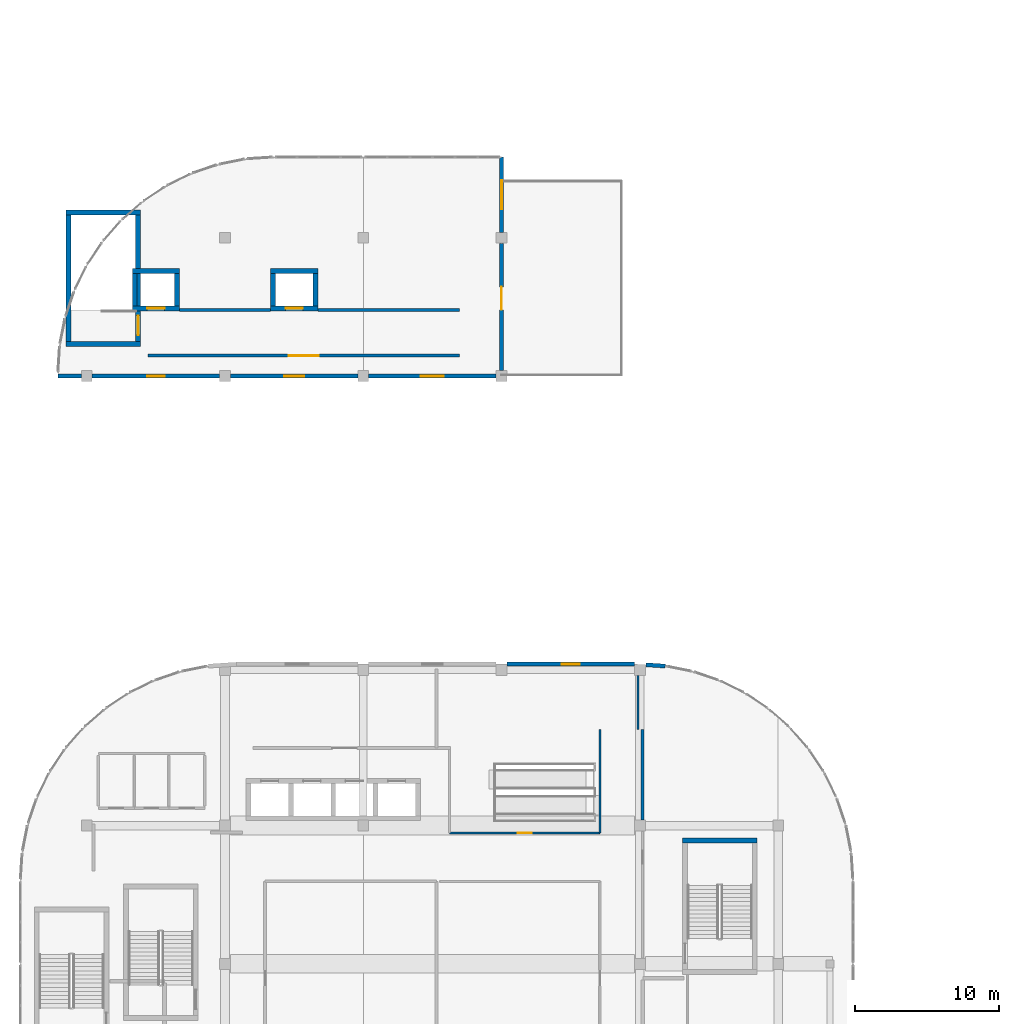
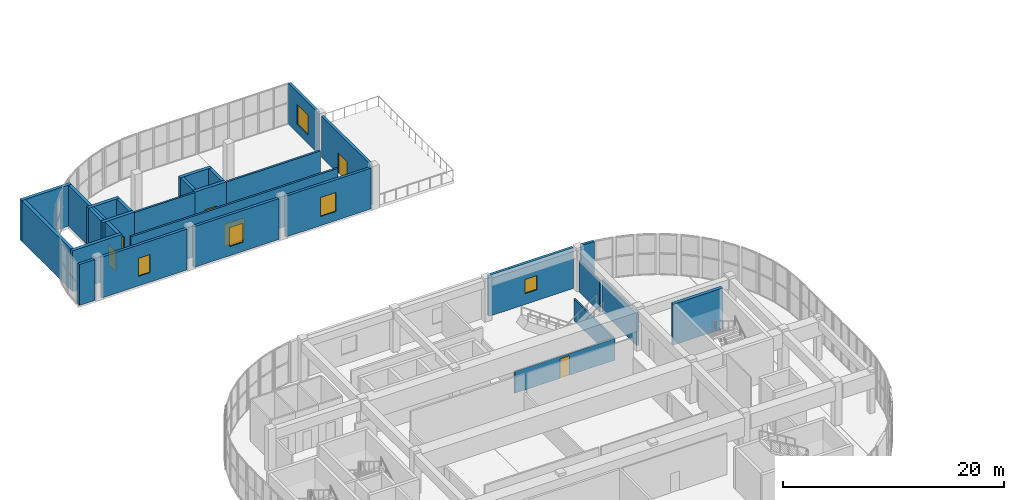
# One storey, part 23 of 28: 28 walls, 6 doors, 5 windows, 11 openings.
"""IFC4 building model written with IfcOpenShell, lengths in metres."""

from ifc_helpers import new_model, si_unit, direction, frame, frame_2d, origin, place, context, subcontext, project, spatial, rectangle, extrude, material, layer, layer_set, type_object, element, fill, save


model = new_model("IFC4")

# Units and contexts
model_context = context("Model", 3, precision=1e-05, world=origin(), true_north=direction((0.0, 1.0)))
body_context = subcontext(model_context, "Body", "Model", "MODEL_VIEW")
ifc_project = project(units=[si_unit("LENGTHUNIT", "METRE"), si_unit("AREAUNIT", "SQUARE_METRE"), si_unit("VOLUMEUNIT", "CUBIC_METRE"), si_unit("PLANEANGLEUNIT", "RADIAN"), si_unit("MASSUNIT", "GRAM", prefix="KILO")], contexts=[model_context])

# Site, building, storey
site_placement = place(None, origin())
site = spatial("IfcSite", under=ifc_project, at=site_placement, CompositionType="ELEMENT")
building_placement = place(site_placement, origin())
building = spatial("IfcBuilding", under=site, at=building_placement, Name="Cendralis Terraced Arcade", CompositionType="ELEMENT")
storey_placement = place(building_placement, frame((0.0, 0.0, 24.60009765625)))
storey = spatial("IfcBuildingStorey", under=building, at=storey_placement, Name="L05", CompositionType="ELEMENT", Elevation=24.60009765625)

# Walls
ifc_material_1 = material(Name="Gypsum plasterboard acoustic partition", Category="concrete")
ifc_layer_1 = layer(ifc_material_1, 0.195068359375, Name="WL-ACOU-195")
ifc_layer_set_1 = layer_set([ifc_layer_1], Name="Gypsum plasterboard acoustic partition")
wall_type_1 = type_object("IfcWallType", Name="WL-ACOU-195", PredefinedType="PARTITIONING", material=ifc_layer_set_1)
wall_1_placement = place(storey_placement, frame((22.360107421875, 74.179931640625, 0.0), z_axis=(0.0, 0.0, 1.0), x_axis=(-1.0, 0.0, 0.0)))
element("IfcWall", 1, at=wall_1_placement, inside=storey, type_object=wall_type_1, Name="Interior Partition Wall IW-L05-0624", PredefinedType="PARTITIONING", context=body_context, shape_type="SweptSolid", body=[
    extrude(rectangle(XDim=6.320068359375, YDim=0.195068359375, at=frame_2d((3.16015625, 0.0))), origin(), (0.0, 0.0, 1.0), 4.510009765625),
])
ifc_layer_2 = layer(ifc_material_1, 0.199951171875, Name="WL-ACOU-200")
ifc_layer_set_2 = layer_set([ifc_layer_2], Name="Gypsum plasterboard acoustic partition")
wall_type_2 = type_object("IfcWallType", Name="WL-ACOU-200", PredefinedType="PARTITIONING", material=ifc_layer_set_2)
wall_2_placement = place(storey_placement, frame((35.4599609375, 74.179931640625, 0.0), z_axis=(0.0, 0.0, 1.0), x_axis=(-1.0, 0.0, 0.0)))
element("IfcWall", 2, at=wall_2_placement, inside=storey, type_object=wall_type_2, Name="Interior Partition Wall IW-L05-0623", PredefinedType="PARTITIONING", context=body_context, shape_type="SweptSolid", body=[
    extrude(rectangle(XDim=9.820068359375, YDim=0.199951171875, at=frame_2d((4.91015625, 0.0))), origin(), (0.0, 0.0, 1.0), 4.510009765625),
])

# Wall, opening, door
ifc_layer_3 = layer(ifc_material_1, 0.205078125, Name="WL-ACOU-205")
ifc_layer_set_3 = layer_set([ifc_layer_3], Name="Gypsum plasterboard acoustic partition")
wall_type_3 = type_object("IfcWallType", Name="WL-ACOU-205", PredefinedType="PARTITIONING", material=ifc_layer_set_3)
wall_3_placement = place(storey_placement, frame((13.861083984375, 71.02001953125, 0.0), z_axis=(0.0, 0.0, 1.0), x_axis=(1.0, 0.0, 0.0)))
wall_3 = element("IfcWall", 3, at=wall_3_placement, inside=storey, type_object=wall_type_3, Name="Interior Partition Wall IW-L05-0622", PredefinedType="PARTITIONING", context=body_context, shape_type="SweptSolid", body=[
    extrude(rectangle(XDim=21.598876953125, YDim=0.205078125, at=frame_2d((10.79931640625, 0.0))), origin(), (0.0, 0.0, 1.0), 4.510009765625),
])
opening_1_placement = place(wall_3_placement, frame((9.74951171875, 0.0, 0.0)))
opening_1 = element("IfcOpeningElement", 4, at=opening_1_placement, cuts=wall_3, Name="Opening D-L05-169", PredefinedType="OPENING", context=body_context, shape_type="SweptSolid", body=[
    extrude(rectangle(XDim=2.10009765625, YDim=2.419921875, at=frame_2d((1.050048828125, 1.2099609375))), frame((0.0, 0.114501953125, 0.0), z_axis=(0.0, -1.0, 0.0), x_axis=(1.0, 0.0, 0.0)), (0.0, 0.0, 1.0), 0.22900390625),
])
ifc_material_2 = material(Name="Solid core Andean oak veneer door leaf", Category="aluminium")
door_type_1 = type_object("IfcDoorType", Name="ID-DEP-2100x2420", OperationType="DOUBLE_DOOR_SINGLE_SWING", PredefinedType="DOOR", material=ifc_material_2)
door_1_placement = place(opening_1_placement, origin())
door_1 = element("IfcDoor", 5, at=door_1_placement, inside=storey, type_object=door_type_1, Name="Activewear and Alpine Equipment Showroom Door D-L05-169", OperationType="DOUBLE_DOOR_SINGLE_SWING", OverallHeight=2.419921875, OverallWidth=2.10009765625, PredefinedType="DOOR", context=body_context, shape_type="SweptSolid", body=[
    extrude(rectangle(XDim=2.10009765625, YDim=2.419921875, at=frame_2d((1.050048828125, 1.2099609375))), frame((0.0, 0.02490234375, 0.0), z_axis=(0.0, -1.0, 0.0), x_axis=(1.0, 0.0, 0.0)), (0.0, 0.0, 1.0), 0.050048828125),
])
fill(opening_1, door_1)

# Walls
ifc_material_3 = material(Name="Autoclaved aerated concrete blockwork", Category="masonry")
ifc_layer_4 = layer(ifc_material_3, 0.22802734375, Name="WL-ACOU-228")
ifc_layer_set_4 = layer_set([ifc_layer_4], Name="Autoclaved aerated concrete blockwork")
wall_type_4 = type_object("IfcWallType", Name="WL-ACOU-228", PredefinedType="PARTITIONING", material=ifc_layer_set_4)
wall_4_placement = place(storey_placement, frame((48.179931640625, 38.794921875, 0.0), z_axis=(0.0, 0.0, 1.0), x_axis=(0.0, 1.0, 0.0)))
element("IfcWall", 6, at=wall_4_placement, inside=storey, type_object=wall_type_4, Name="Interior Partition Wall IW-L05-0620", PredefinedType="PARTITIONING", context=body_context, shape_type="SweptSolid", body=[
    extrude(rectangle(XDim=6.26513671875, YDim=0.22802734375, at=frame_2d((3.132568359375, 0.0))), origin(), (0.0, 0.0, 1.0), 3.449951171875),
])
ifc_material_4 = material(Name="Concrete f'c 42 MPa", Category="concrete")
ifc_layer_5 = layer(ifc_material_4, 0.340087890625, Name="WL-CORE-340")
ifc_layer_set_5 = layer_set([ifc_layer_5], Name="Concrete f'c 42 MPa")
wall_type_5 = type_object("IfcWallType", Name="WL-CORE-340", PredefinedType="SHEAR", material=ifc_layer_set_5)
wall_5_placement = place(storey_placement, frame((50.9599609375, 37.3701171875, 0.0), z_axis=(0.0, 0.0, 1.0), x_axis=(1.0, 0.0, 0.0)))
element("IfcWall", 7, at=wall_5_placement, inside=storey, type_object=wall_type_5, Name="Stair Core Reinforced Concrete Shear Wall SW-ST-04-L05-N", PredefinedType="SHEAR", context=body_context, shape_type="SweptSolid", body=[
    extrude(rectangle(XDim=5.179931640625, YDim=0.340087890625, at=frame_2d((2.58984375, 0.0))), origin(), (0.0, 0.0, 1.0), 4.510009765625),
])
for number, where, z_axis, x_axis, name in (
    (8, (8.159912109375, 71.830078125, 0.0), (0.0, 0.0, 1.0), (1.0, 0.0, 0.0), "Stair Core Reinforced Concrete Shear Wall SW-ST-07-L05-S"),
    (9, (8.159912109375, 80.969970703125, 0.0), (0.0, 0.0, 1.0), (1.0, 0.0, 0.0), "Stair Core Reinforced Concrete Shear Wall SW-ST-07-L05-N"),
):
    element("IfcWall", number, at=place(storey_placement, frame(where, z_axis=z_axis, x_axis=x_axis)), inside=storey, type_object=wall_type_5, Name=name, PredefinedType="SHEAR", context=body_context, shape_type="SweptSolid", body=[
        extrude(rectangle(XDim=5.18017578125, YDim=0.340087890625, at=frame_2d((2.590087890625, 0.0))), origin(), (0.0, 0.0, 1.0), 4.510009765625),
    ])

# Wall, opening, door
wall_6_placement = place(storey_placement, frame((13.169921875, 72.0, 0.0), z_axis=(0.0, 0.0, 1.0), x_axis=(0.0, 1.0, 0.0)))
wall_6 = element("IfcWall", 10, at=wall_6_placement, inside=storey, type_object=wall_type_5, Name="Stair Core Reinforced Concrete Shear Wall SW-ST-07-L05-E", PredefinedType="SHEAR", context=body_context, shape_type="SweptSolid", body=[
    extrude(rectangle(XDim=8.800048828125, YDim=0.340087890625, at=frame_2d((4.39990234375, 0.0))), origin(), (0.0, 0.0, 1.0), 4.510009765625),
])
opening_2_placement = place(wall_6_placement, frame((0.449951171875, 0.0, 0.0)))
opening_2 = element("IfcOpeningElement", 11, at=opening_2_placement, cuts=wall_6, Name="Opening D-ST-07-L05", PredefinedType="OPENING", context=body_context, shape_type="SweptSolid", body=[
    extrude(rectangle(XDim=1.35009765625, YDim=2.199951171875, at=frame_2d((0.675048828125, 1.10009765625))), frame((0.0, 0.18212890625, 0.0), z_axis=(0.0, -1.0, 0.0), x_axis=(1.0, 0.0, 0.0)), (0.0, 0.0, 1.0), 0.364013671875),
])
ifc_material_5 = material(Name="Galvanised fire-rated steel door assembly", Category="steel")
door_type_2 = type_object("IfcDoorType", Name="ID-ST-1350x2200", OperationType="NOTDEFINED", PredefinedType="DOOR", material=ifc_material_5)
door_2_placement = place(opening_2_placement, origin())
door_2 = element("IfcDoor", 12, at=door_2_placement, inside=storey, type_object=door_type_2, Name="Protected Stair ST-07 Fire Door (L05)", OperationType="SINGLE_SWING_LEFT", OverallHeight=2.199951171875, OverallWidth=1.35009765625, PredefinedType="DOOR", context=body_context, shape_type="SweptSolid", body=[
    extrude(rectangle(XDim=1.35009765625, YDim=2.199951171875, at=frame_2d((0.675048828125, 1.10009765625))), frame((0.0, 0.02490234375, 0.0), z_axis=(0.0, -1.0, 0.0), x_axis=(1.0, 0.0, 0.0)), (0.0, 0.0, 1.0), 0.050048828125),
])
fill(opening_2, door_2)

# Wall
wall_7_placement = place(storey_placement, frame((8.330078125, 72.0, 0.0), z_axis=(0.0, 0.0, 1.0), x_axis=(0.0, 1.0, 0.0)))
element("IfcWall", 13, at=wall_7_placement, inside=storey, type_object=wall_type_5, Name="Stair Core Reinforced Concrete Shear Wall SW-ST-07-L05-W", PredefinedType="SHEAR", context=body_context, shape_type="SweptSolid", body=[
    extrude(rectangle(XDim=8.800048828125, YDim=0.340087890625, at=frame_2d((4.39990234375, 0.0))), origin(), (0.0, 0.0, 1.0), 4.510009765625),
])

# Wall, opening, door
wall_8_placement = place(storey_placement, frame((12.760009765625, 74.304931640625, 0.0), z_axis=(0.0, 0.0, 1.0), x_axis=(1.0, 0.0, 0.0)))
wall_8 = element("IfcWall", 14, at=wall_8_placement, inside=storey, type_object=wall_type_5, Name="Lift PL-05 Reinforced Concrete Shaft Wall (L05)", PredefinedType="SHEAR", context=body_context, shape_type="SweptSolid", body=[
    extrude(rectangle(XDim=3.280029296875, YDim=0.340087890625, at=frame_2d((1.64013671875, 0.0))), origin(), (0.0, 0.0, 1.0), 4.510009765625),
])
opening_3_placement = place(wall_8_placement, frame((1.0400390625, 0.0, 0.0)))
opening_3 = element("IfcOpeningElement", 15, at=opening_3_placement, cuts=wall_8, Name="Opening LD-PL-05-L05", PredefinedType="OPENING", context=body_context, shape_type="SweptSolid", body=[
    extrude(rectangle(XDim=1.199951171875, YDim=2.199951171875, at=frame_2d((0.60009765625, 1.10009765625))), frame((0.0, 0.18212890625, 0.0), z_axis=(0.0, -1.0, 0.0), x_axis=(1.0, 0.0, 0.0)), (0.0, 0.0, 1.0), 0.364013671875),
])
ifc_material_6 = material(Name="Anodised aluminium sliding door assembly", Category="aluminium")
door_type_3 = type_object("IfcDoorType", Name="ID-LD-PX-1200x2200", OperationType="DOUBLE_DOOR_SLIDING", PredefinedType="DOOR", material=ifc_material_6)
door_3_placement = place(opening_3_placement, origin())
door_3 = element("IfcDoor", 16, at=door_3_placement, inside=storey, type_object=door_type_3, Name="Lift PL-05 Sliding Landing Door (L05)", OperationType="DOUBLE_DOOR_SLIDING", OverallHeight=2.199951171875, OverallWidth=1.199951171875, PredefinedType="DOOR", context=body_context, shape_type="SweptSolid", body=[
    extrude(rectangle(XDim=1.199951171875, YDim=2.199951171875, at=frame_2d((0.60009765625, 1.10009765625))), frame((0.0, 0.02490234375, 0.0), z_axis=(0.0, -1.0, 0.0), x_axis=(1.0, 0.0, 0.0)), (0.0, 0.0, 1.0), 0.050048828125),
])
fill(opening_3, door_3)

# Walls
wall_9_placement = place(storey_placement, frame((12.760009765625, 76.89501953125, 0.0), z_axis=(0.0, 0.0, 1.0), x_axis=(1.0, 0.0, 0.0)))
element("IfcWall", 17, at=wall_9_placement, inside=storey, type_object=wall_type_5, Name="Lift PL-05 Reinforced Concrete Shaft Wall (L05)", PredefinedType="SHEAR", context=body_context, shape_type="SweptSolid", body=[
    extrude(rectangle(XDim=3.280029296875, YDim=0.340087890625, at=frame_2d((1.64013671875, 0.0))), origin(), (0.0, 0.0, 1.0), 4.510009765625),
])
for number, where, z_axis, x_axis, name in (
    (18, (12.929931640625, 74.47509765625, 0.0), (0.0, 0.0, 1.0), (0.0, 1.0, 0.0), "Lift PL-05 Reinforced Concrete Shaft Wall (L05)"),
    (19, (15.8701171875, 74.47509765625, 0.0), (0.0, 0.0, 1.0), (0.0, 1.0, 0.0), "Lift PL-05 Reinforced Concrete Shaft Wall (L05)"),
):
    element("IfcWall", number, at=place(storey_placement, frame(where, z_axis=z_axis, x_axis=x_axis)), inside=storey, type_object=wall_type_5, Name=name, PredefinedType="SHEAR", context=body_context, shape_type="SweptSolid", body=[
        extrude(rectangle(XDim=2.25, YDim=0.340087890625, at=frame_2d((1.125, 0.0))), origin(), (0.0, 0.0, 1.0), 4.510009765625),
    ])

# Wall, opening, door
wall_10_placement = place(storey_placement, frame((22.360107421875, 74.304931640625, 0.0), z_axis=(0.0, 0.0, 1.0), x_axis=(1.0, 0.0, 0.0)))
wall_10 = element("IfcWall", 20, at=wall_10_placement, inside=storey, type_object=wall_type_5, Name="Lift PL-06 Reinforced Concrete Shaft Wall (L05)", PredefinedType="SHEAR", context=body_context, shape_type="SweptSolid", body=[
    extrude(rectangle(XDim=3.27978515625, YDim=0.340087890625, at=frame_2d((1.639892578125, 0.0))), origin(), (0.0, 0.0, 1.0), 4.510009765625),
])
opening_4_placement = place(wall_10_placement, frame((1.0400390625, 0.0, 0.0)))
opening_4 = element("IfcOpeningElement", 21, at=opening_4_placement, cuts=wall_10, Name="Opening LD-PL-06-L05", PredefinedType="OPENING", context=body_context, shape_type="SweptSolid", body=[
    extrude(rectangle(XDim=1.199951171875, YDim=2.199951171875, at=frame_2d((0.60009765625, 1.10009765625))), frame((0.0, 0.18212890625, 0.0), z_axis=(0.0, -1.0, 0.0), x_axis=(1.0, 0.0, 0.0)), (0.0, 0.0, 1.0), 0.364013671875),
])
door_4_placement = place(opening_4_placement, origin())
door_4 = element("IfcDoor", 22, at=door_4_placement, inside=storey, type_object=door_type_3, Name="Lift PL-06 Sliding Landing Door (L05)", OperationType="DOUBLE_DOOR_SLIDING", OverallHeight=2.199951171875, OverallWidth=1.199951171875, PredefinedType="DOOR", context=body_context, shape_type="SweptSolid", body=[
    extrude(rectangle(XDim=1.199951171875, YDim=2.199951171875, at=frame_2d((0.60009765625, 1.10009765625))), frame((0.0, 0.02490234375, 0.0), z_axis=(0.0, -1.0, 0.0), x_axis=(1.0, 0.0, 0.0)), (0.0, 0.0, 1.0), 0.050048828125),
])
fill(opening_4, door_4)

# Walls
wall_11_placement = place(storey_placement, frame((22.360107421875, 76.89501953125, 0.0), z_axis=(0.0, 0.0, 1.0), x_axis=(1.0, 0.0, 0.0)))
element("IfcWall", 23, at=wall_11_placement, inside=storey, type_object=wall_type_5, Name="Lift PL-06 Reinforced Concrete Shaft Wall (L05)", PredefinedType="SHEAR", context=body_context, shape_type="SweptSolid", body=[
    extrude(rectangle(XDim=3.27978515625, YDim=0.340087890625, at=frame_2d((1.639892578125, 0.0))), origin(), (0.0, 0.0, 1.0), 4.510009765625),
])
for number, where, z_axis, x_axis, name in (
    (24, (22.530029296875, 74.47509765625, 0.0), (0.0, 0.0, 1.0), (0.0, 1.0, 0.0), "Lift PL-06 Reinforced Concrete Shaft Wall (L05)"),
    (25, (25.469970703125, 74.47509765625, 0.0), (0.0, 0.0, 1.0), (0.0, 1.0, 0.0), "Lift PL-06 Reinforced Concrete Shaft Wall (L05)"),
):
    element("IfcWall", number, at=place(storey_placement, frame(where, z_axis=z_axis, x_axis=x_axis)), inside=storey, type_object=wall_type_5, Name=name, PredefinedType="SHEAR", context=body_context, shape_type="SweptSolid", body=[
        extrude(rectangle(XDim=2.25, YDim=0.340087890625, at=frame_2d((1.125, 0.0))), origin(), (0.0, 0.0, 1.0), 4.510009765625),
    ])

# Wall, opening, window
ifc_material_7 = material(Name="Precast concrete f'c 40 MPa", Category="concrete")
ifc_layer_6 = layer(ifc_material_7, 0.280029296875, Name="WL-EXT-GRC-280")
ifc_layer_set_6 = layer_set([ifc_layer_6], Name="Precast concrete f'c 40 MPa")
wall_type_6 = type_object("IfcWallType", Name="WL-EXT-GRC-280", PredefinedType="SOLIDWALL", material=ifc_layer_set_6)
wall_12_placement = place(storey_placement, frame((38.77294921875, 49.60009765625, 0.0), z_axis=(0.0, 0.0, 1.0), x_axis=(1.0, 0.0, 0.0)))
wall_12 = element("IfcWall", 26, at=wall_12_placement, inside=storey, type_object=wall_type_6, Name="Exterior Architectural Wall EW-L05-0326", PredefinedType="SOLIDWALL", context=body_context, shape_type="SweptSolid", body=[
    extrude(rectangle(XDim=8.85400390625, YDim=0.280029296875, at=frame_2d((4.427001953125, 0.0))), origin(), (0.0, 0.0, 1.0), 4.510009765625),
])
opening_5_placement = place(wall_12_placement, frame((3.802001953125, 0.0, 1.199951171875)))
opening_5 = element("IfcOpeningElement", 27, at=opening_5_placement, cuts=wall_12, Name="Opening W-30", PredefinedType="OPENING", context=body_context, shape_type="SweptSolid", body=[
    extrude(rectangle(XDim=1.25, YDim=1.550048828125, at=frame_2d((0.625, 0.77490234375))), frame((0.0, 0.15185546875, 0.0), z_axis=(0.0, -1.0, 0.0), x_axis=(1.0, 0.0, 0.0)), (0.0, 0.0, 1.0), 0.303955078125),
])
ifc_material_8 = material(Name="Tempered solar control laminated glass", Category="glass")
window_type_1 = type_object("IfcWindowType", Name="WN-F3-1250x1550", PartitioningType="SINGLE_PANEL", PredefinedType="WINDOW", material=ifc_material_8)
window_1_placement = place(opening_5_placement, origin())
window_1 = element("IfcWindow", 28, at=window_1_placement, inside=storey, type_object=window_type_1, Name="Exterior Solar-Control Window WN-L05-0217", OverallHeight=1.550048828125, OverallWidth=1.25, PartitioningType="SINGLE_PANEL", PredefinedType="WINDOW", context=body_context, shape_type="SweptSolid", body=[
    extrude(rectangle(XDim=1.25, YDim=1.550048828125, at=frame_2d((0.625, 0.77490234375))), frame((0.0, 0.030029296875, 0.0), z_axis=(0.0, -1.0, 0.0), x_axis=(1.0, 0.0, 0.0)), (0.0, 0.0, 1.0), 0.06005859375),
])
fill(opening_5, window_1)

# Wall
wall_13_placement = place(storey_placement, frame((48.421142578125, 49.559326171875, 0.0), z_axis=(0.0, 0.0, 1.0), x_axis=(0.99785714413, -0.065430267533, 0.0)))
element("IfcWall", 29, at=wall_13_placement, inside=storey, type_object=wall_type_6, Name="Exterior Architectural Wall EW-L05-0327", PredefinedType="SOLIDWALL", context=body_context, shape_type="SweptSolid", body=[
    extrude(rectangle(XDim=1.339599609375, YDim=0.280029296875, at=frame_2d((0.669921875, 0.0))), origin(), (0.0, 0.0, 1.0), 4.510009765625),
])

# Wall, opening, window
wall_14_placement = place(storey_placement, frame((38.39990234375, 84.800048828125, 0.0), z_axis=(0.0, 0.0, 1.0), x_axis=(0.0, -1.0, 0.0)))
wall_14 = element("IfcWall", 30, at=wall_14_placement, inside=storey, type_object=wall_type_6, Name="Exterior Architectural Wall EW-L05-0329", PredefinedType="SOLIDWALL", context=body_context, shape_type="SweptSolid", body=[
    extrude(rectangle(XDim=5.22705078125, YDim=0.280029296875, at=frame_2d((2.613525390625, 0.0))), origin(), (0.0, 0.0, 1.0), 4.510009765625),
])
opening_6_placement = place(wall_14_placement, frame((1.613525390625, 0.0, 0.949951171875)))
opening_6 = element("IfcOpeningElement", 31, at=opening_6_placement, cuts=wall_14, Name="Opening W-03", PredefinedType="OPENING", context=body_context, shape_type="SweptSolid", body=[
    extrude(rectangle(XDim=2.0, YDim=2.199951171875, at=frame_2d((1.0, 1.10009765625))), frame((0.0, 0.15185546875, 0.0), z_axis=(0.0, -1.0, 0.0), x_axis=(1.0, 0.0, 0.0)), (0.0, 0.0, 1.0), 0.303955078125),
])
window_type_2 = type_object("IfcWindowType", Name="WN-F1-2000x2200", PartitioningType="SINGLE_PANEL", PredefinedType="WINDOW", material=ifc_material_8)
window_2_placement = place(opening_6_placement, origin())
window_2 = element("IfcWindow", 32, at=window_2_placement, inside=storey, type_object=window_type_2, Name="Exterior Solar-Control Window WN-L05-0218", OverallHeight=2.199951171875, OverallWidth=2.0, PartitioningType="SINGLE_PANEL", PredefinedType="WINDOW", context=body_context, shape_type="SweptSolid", body=[
    extrude(rectangle(XDim=2.0, YDim=2.199951171875, at=frame_2d((1.0, 1.10009765625))), frame((0.0, 0.030029296875, 0.0), z_axis=(0.0, -1.0, 0.0), x_axis=(1.0, 0.0, 0.0)), (0.0, 0.0, 1.0), 0.06005859375),
])
fill(opening_6, window_2)

# Wall, opening, door
wall_15_placement = place(storey_placement, frame((38.39990234375, 78.800048828125, 0.0), z_axis=(0.0, 0.0, 1.0), x_axis=(0.0, -1.0, 0.0)))
wall_15 = element("IfcWall", 33, at=wall_15_placement, inside=storey, type_object=wall_type_6, Name="Exterior Architectural Wall EW-L05-0330", PredefinedType="SOLIDWALL", context=body_context, shape_type="SweptSolid", body=[
    extrude(rectangle(XDim=8.800048828125, YDim=0.280029296875, at=frame_2d((4.39990234375, 0.0))), origin(), (0.0, 0.0, 1.0), 4.510009765625),
])
opening_7_placement = place(wall_15_placement, frame((3.0, 0.0, 0.0)))
opening_7 = element("IfcOpeningElement", 34, at=opening_7_placement, cuts=wall_15, Name="Opening TD-L05-07", PredefinedType="OPENING", context=body_context, shape_type="SweptSolid", body=[
    extrude(rectangle(XDim=1.60009765625, YDim=2.300048828125, at=frame_2d((0.800048828125, 1.14990234375))), frame((0.0, 0.15185546875, 0.0), z_axis=(0.0, -1.0, 0.0), x_axis=(1.0, 0.0, 0.0)), (0.0, 0.0, 1.0), 0.303955078125),
])
ifc_material_9 = material(Name="Powder-coated thermally broken aluminium and glass", Category="aluminium")
door_type_4 = type_object("IfcDoorType", Name="ED-TER-1600x2300", OperationType="DOUBLE_DOOR_SINGLE_SWING", PredefinedType="DOOR", material=ifc_material_9)
door_5_placement = place(opening_7_placement, origin())
door_5 = element("IfcDoor", 35, at=door_5_placement, inside=storey, type_object=door_type_4, Name="Planted Terrace Access Door TD-L05-07", OperationType="DOUBLE_DOOR_SINGLE_SWING", OverallHeight=2.300048828125, OverallWidth=1.60009765625, PredefinedType="DOOR", context=body_context, shape_type="SweptSolid", body=[
    extrude(rectangle(XDim=1.60009765625, YDim=2.300048828125, at=frame_2d((0.800048828125, 1.14990234375))), frame((0.0, 0.02490234375, 0.0), z_axis=(0.0, -1.0, 0.0), x_axis=(1.0, 0.0, 0.0)), (0.0, 0.0, 1.0), 0.050048828125),
])
fill(opening_7, door_5)

# Wall, opening, window
wall_16_placement = place(storey_placement, frame((38.027099609375, 69.60009765625, 0.0), z_axis=(0.0, 0.0, 1.0), x_axis=(-1.0, 0.0, 0.0)))
wall_16 = element("IfcWall", 36, at=wall_16_placement, inside=storey, type_object=wall_type_6, Name="Exterior Architectural Wall EW-L05-0331", PredefinedType="SOLIDWALL", context=body_context, shape_type="SweptSolid", body=[
    extrude(rectangle(XDim=8.85400390625, YDim=0.280029296875, at=frame_2d((4.427001953125, 0.0))), origin(), (0.0, 0.0, 1.0), 4.510009765625),
])
opening_8_placement = place(wall_16_placement, frame((3.626953125, 0.0, 1.0)))
opening_8 = element("IfcOpeningElement", 37, at=opening_8_placement, cuts=wall_16, Name="Opening W-05", PredefinedType="OPENING", context=body_context, shape_type="SweptSolid", body=[
    extrude(rectangle(XDim=1.60009765625, YDim=2.10009765625, at=frame_2d((0.800048828125, 1.050048828125))), frame((0.0, 0.15185546875, 0.0), z_axis=(0.0, -1.0, 0.0), x_axis=(1.0, 0.0, 0.0)), (0.0, 0.0, 1.0), 0.303955078125),
])
window_type_3 = type_object("IfcWindowType", Name="WN-F1-1600x2100", PartitioningType="SINGLE_PANEL", PredefinedType="WINDOW", material=ifc_material_8)
window_3_placement = place(opening_8_placement, origin())
window_3 = element("IfcWindow", 38, at=window_3_placement, inside=storey, type_object=window_type_3, Name="Exterior Solar-Control Window WN-L05-0219", OverallHeight=2.10009765625, OverallWidth=1.60009765625, PartitioningType="SINGLE_PANEL", PredefinedType="WINDOW", context=body_context, shape_type="SweptSolid", body=[
    extrude(rectangle(XDim=1.60009765625, YDim=2.10009765625, at=frame_2d((0.800048828125, 1.050048828125))), frame((0.0, 0.030029296875, 0.0), z_axis=(0.0, -1.0, 0.0), x_axis=(1.0, 0.0, 0.0)), (0.0, 0.0, 1.0), 0.06005859375),
])
fill(opening_8, window_3)

wall_17_placement = place(storey_placement, frame((28.427001953125, 69.60009765625, 0.0), z_axis=(0.0, 0.0, 1.0), x_axis=(-1.0, 0.0, 0.0)))
wall_17 = element("IfcWall", 39, at=wall_17_placement, inside=storey, type_object=wall_type_6, Name="Exterior Architectural Wall EW-L05-0332", PredefinedType="SOLIDWALL", context=body_context, shape_type="SweptSolid", body=[
    extrude(rectangle(XDim=8.85400390625, YDim=0.280029296875, at=frame_2d((4.427001953125, 0.0))), origin(), (0.0, 0.0, 1.0), 4.510009765625),
])
opening_9_placement = place(wall_17_placement, frame((3.72705078125, 0.0, 1.0)))
opening_9 = element("IfcOpeningElement", 40, at=opening_9_placement, cuts=wall_17, Name="Opening W-06", PredefinedType="OPENING", context=body_context, shape_type="SweptSolid", body=[
    extrude(rectangle(XDim=1.39990234375, YDim=2.10009765625, at=frame_2d((0.699951171875, 1.050048828125))), frame((0.0, 0.15185546875, 0.0), z_axis=(0.0, -1.0, 0.0), x_axis=(1.0, 0.0, 0.0)), (0.0, 0.0, 1.0), 0.303955078125),
])
window_type_4 = type_object("IfcWindowType", Name="WN-F1-1400x2100", PartitioningType="SINGLE_PANEL", PredefinedType="WINDOW", material=ifc_material_8)
window_4_placement = place(opening_9_placement, origin())
window_4 = element("IfcWindow", 41, at=window_4_placement, inside=storey, type_object=window_type_4, Name="Exterior Solar-Control Window WN-L05-0220", OverallHeight=2.10009765625, OverallWidth=1.39990234375, PartitioningType="SINGLE_PANEL", PredefinedType="WINDOW", context=body_context, shape_type="SweptSolid", body=[
    extrude(rectangle(XDim=1.39990234375, YDim=2.10009765625, at=frame_2d((0.699951171875, 1.050048828125))), frame((0.0, 0.030029296875, 0.0), z_axis=(0.0, -1.0, 0.0), x_axis=(1.0, 0.0, 0.0)), (0.0, 0.0, 1.0), 0.06005859375),
])
fill(opening_9, window_4)

wall_18_placement = place(storey_placement, frame((18.826904296875, 69.60009765625, 0.0), z_axis=(0.0, 0.0, 1.0), x_axis=(-1.0, 0.0, 0.0)))
wall_18 = element("IfcWall", 42, at=wall_18_placement, inside=storey, type_object=wall_type_6, Name="Exterior Architectural Wall EW-L05-0333", PredefinedType="SOLIDWALL", context=body_context, shape_type="SweptSolid", body=[
    extrude(rectangle(XDim=8.85400390625, YDim=0.280029296875, at=frame_2d((4.427001953125, 0.0))), origin(), (0.0, 0.0, 1.0), 4.510009765625),
])
opening_10_placement = place(wall_18_placement, frame((3.826904296875, 0.0, 1.050048828125)))
opening_10 = element("IfcOpeningElement", 43, at=opening_10_placement, cuts=wall_18, Name="Opening W-07", PredefinedType="OPENING", context=body_context, shape_type="SweptSolid", body=[
    extrude(rectangle(XDim=1.199951171875, YDim=2.0, at=frame_2d((0.60009765625, 1.0))), frame((0.0, 0.15185546875, 0.0), z_axis=(0.0, -1.0, 0.0), x_axis=(1.0, 0.0, 0.0)), (0.0, 0.0, 1.0), 0.303955078125),
])
window_type_5 = type_object("IfcWindowType", Name="WN-F1-1200x2000", PartitioningType="SINGLE_PANEL", PredefinedType="WINDOW", material=ifc_material_8)
window_5_placement = place(opening_10_placement, origin())
window_5 = element("IfcWindow", 44, at=window_5_placement, inside=storey, type_object=window_type_5, Name="Exterior Solar-Control Window WN-L05-0221", OverallHeight=2.0, OverallWidth=1.199951171875, PartitioningType="SINGLE_PANEL", PredefinedType="WINDOW", context=body_context, shape_type="SweptSolid", body=[
    extrude(rectangle(XDim=1.199951171875, YDim=2.0, at=frame_2d((0.60009765625, 1.0))), frame((0.0, 0.030029296875, 0.0), z_axis=(0.0, -1.0, 0.0), x_axis=(1.0, 0.0, 0.0)), (0.0, 0.0, 1.0), 0.06005859375),
])
fill(opening_10, window_5)

# Walls
wall_19_placement = place(storey_placement, frame((9.22705078125, 69.60009765625, 0.0), z_axis=(0.0, 0.0, 1.0), x_axis=(-1.0, 0.0, 0.0)))
element("IfcWall", 45, at=wall_19_placement, inside=storey, type_object=wall_type_6, Name="Exterior Architectural Wall EW-L05-0334", PredefinedType="SOLIDWALL", context=body_context, shape_type="SweptSolid", body=[
    extrude(rectangle(XDim=1.626953125, YDim=0.280029296875, at=frame_2d((0.8134765625, 0.0))), origin(), (0.0, 0.0, 1.0), 4.510009765625),
])
ifc_layer_7 = layer(ifc_material_1, 0.14501953125, Name="WL-PART-145")
ifc_layer_set_7 = layer_set([ifc_layer_7], Name="Gypsum plasterboard acoustic partition")
wall_type_7 = type_object("IfcWallType", Name="WL-PART-145", PredefinedType="PARTITIONING", material=ifc_layer_set_7)
wall_20_placement = place(storey_placement, frame((47.8798828125, 48.804931640625, 0.0), z_axis=(0.0, 0.0, 1.0), x_axis=(0.0, -1.0, 0.0)))
element("IfcWall", 46, at=wall_20_placement, inside=storey, type_object=wall_type_7, Name="Interior Partition Wall IW-L05-0612", PredefinedType="PARTITIONING", context=body_context, shape_type="SweptSolid", body=[
    extrude(rectangle(XDim=3.744873046875, YDim=0.14501953125, at=frame_2d((1.87255859375, 0.0))), origin(), (0.0, 0.0, 1.0), 3.449951171875),
])
ifc_layer_8 = layer(ifc_material_1, 0.154052734375, Name="WL-PART-154")
ifc_layer_set_8 = layer_set([ifc_layer_8], Name="Gypsum plasterboard acoustic partition")
wall_type_8 = type_object("IfcWallType", Name="WL-PART-154", PredefinedType="PARTITIONING", material=ifc_layer_set_8)
wall_21_placement = place(storey_placement, frame((45.219970703125, 45.06005859375, 0.0), z_axis=(0.0, 0.0, 1.0), x_axis=(0.0, -1.0, 0.0)))
element("IfcWall", 47, at=wall_21_placement, inside=storey, type_object=wall_type_8, Name="Interior Partition Wall IW-L05-0610", PredefinedType="PARTITIONING", context=body_context, shape_type="SweptSolid", body=[
    extrude(rectangle(XDim=7.18017578125, YDim=0.154052734375, at=frame_2d((3.590087890625, 0.0))), origin(), (0.0, 0.0, 1.0), 2.39990234375),
])

# Wall, opening, door
ifc_layer_9 = layer(ifc_material_1, 0.159912109375, Name="WL-PART-160")
ifc_layer_set_9 = layer_set([ifc_layer_9], Name="Gypsum plasterboard acoustic partition")
wall_type_9 = type_object("IfcWallType", Name="WL-PART-160", PredefinedType="PARTITIONING", material=ifc_layer_set_9)
wall_22_placement = place(storey_placement, frame((45.219970703125, 37.8798828125, 0.0), z_axis=(0.0, 0.0, 1.0), x_axis=(-1.0, 0.0, 0.0)))
wall_22 = element("IfcWall", 48, at=wall_22_placement, inside=storey, type_object=wall_type_9, Name="Interior Partition Wall IW-L05-0609", PredefinedType="PARTITIONING", context=body_context, shape_type="SweptSolid", body=[
    extrude(rectangle(XDim=10.43994140625, YDim=0.159912109375, at=frame_2d((5.219970703125, 0.0))), origin(), (0.0, 0.0, 1.0), 2.39990234375),
])
opening_11_placement = place(wall_22_placement, frame((4.72998046875, 0.0, 0.0)))
opening_11 = element("IfcOpeningElement", 49, at=opening_11_placement, cuts=wall_22, Name="Opening D-L05-165", PredefinedType="OPENING", context=body_context, shape_type="SweptSolid", body=[
    extrude(rectangle(XDim=0.97998046875, YDim=2.14990234375, at=frame_2d((0.489990234375, 1.074951171875))), frame((0.0, 0.091796875, 0.0), z_axis=(0.0, -1.0, 0.0), x_axis=(1.0, 0.0, 0.0)), (0.0, 0.0, 1.0), 0.183837890625),
])
door_type_5 = type_object("IfcDoorType", Name="ID-RM-0980x2150", OperationType="NOTDEFINED", PredefinedType="DOOR", material=ifc_material_2)
door_6_placement = place(opening_11_placement, origin())
door_6 = element("IfcDoor", 50, at=door_6_placement, inside=storey, type_object=door_type_5, Name="Merchandising Atelier and Design Salon Door D-L05-165", OperationType="SINGLE_SWING_LEFT", OverallHeight=2.14990234375, OverallWidth=0.97998046875, PredefinedType="DOOR", context=body_context, shape_type="SweptSolid", body=[
    extrude(rectangle(XDim=0.97998046875, YDim=2.14990234375, at=frame_2d((0.489990234375, 1.074951171875))), frame((0.0, 0.02490234375, 0.0), z_axis=(0.0, -1.0, 0.0), x_axis=(1.0, 0.0, 0.0)), (0.0, 0.0, 1.0), 0.050048828125),
])
fill(opening_11, door_6)

save(model, "model.ifc")
